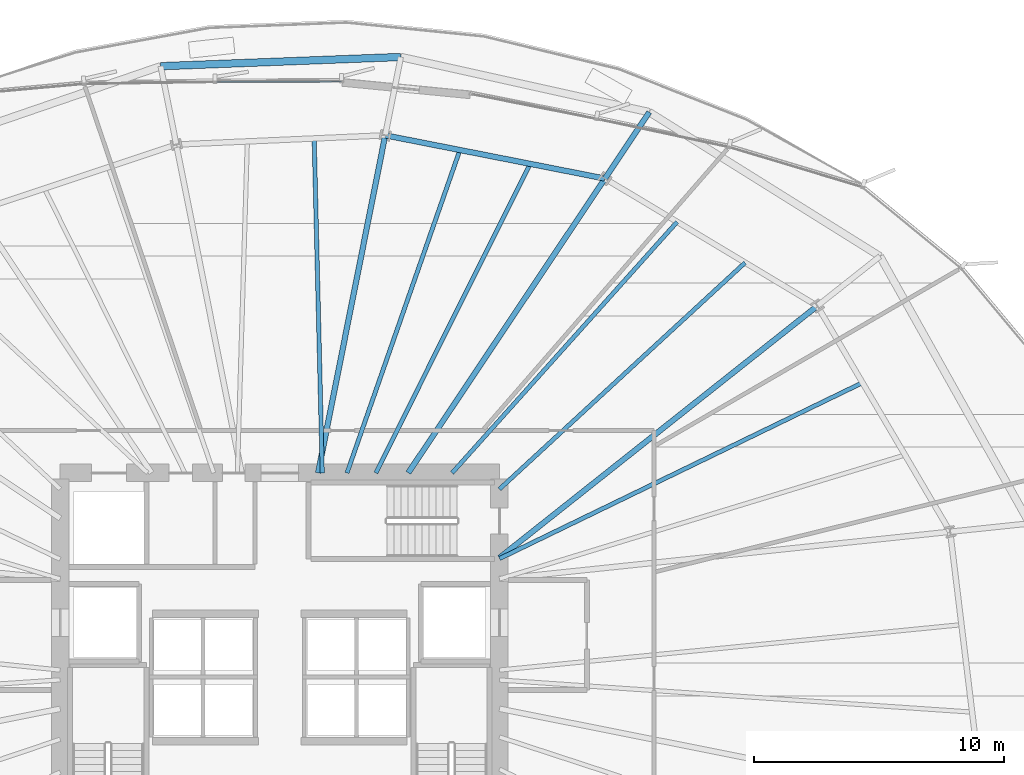
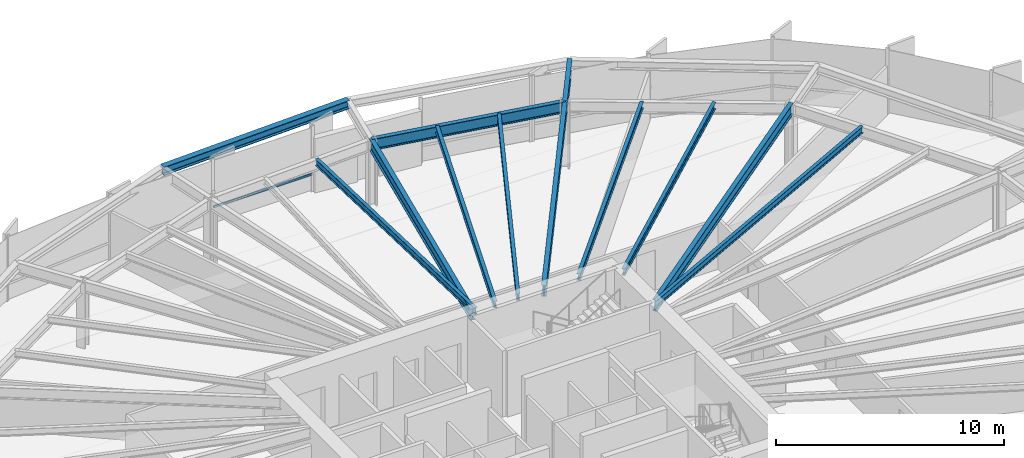
# One storey, part 22 of 37: 12 beams, 1 member, 1 element without a shape of its own.
"""IFC4 building model written with IfcOpenShell, lengths in metres."""

from ifc_helpers import new_model, si_unit, direction, frame, origin, origin_2d, place, context, subcontext, project, spatial, hollow_rectangle, i_section, extrude, source, transform, mapped, material, layer, layer_set, material_profile, profile_set, type_object, element, aggregate, save


model = new_model("IFC4")

# Units and contexts
model_context = context("Model", 3, precision=1e-05, world=origin(), true_north=direction((0.0, 1.0)))
body_context = subcontext(model_context, "Body", "Model", "MODEL_VIEW")
ifc_project = project(units=[si_unit("LENGTHUNIT", "METRE"), si_unit("AREAUNIT", "SQUARE_METRE"), si_unit("VOLUMEUNIT", "CUBIC_METRE"), si_unit("PLANEANGLEUNIT", "RADIAN"), si_unit("MASSUNIT", "GRAM", prefix="KILO"), si_unit("THERMODYNAMICTEMPERATUREUNIT", "KELVIN")], contexts=[model_context])

# Site, building, storey
site_placement = place(None, origin())
site = spatial("IfcSite", under=ifc_project, at=site_placement, CompositionType="ELEMENT")
building_placement = place(site_placement, origin())
building = spatial("IfcBuilding", under=site, at=building_placement, Name="Kethvar Cultural Tower", CompositionType="ELEMENT")
storey_placement = place(building_placement, frame((0.0, 0.0, 56.199951171875)))
storey = spatial("IfcBuildingStorey", under=building, at=storey_placement, Name="L13", CompositionType="ELEMENT", Elevation=56.199951171875)

# Beams
ifc_material_1 = material(Name="Steel S355J2", Category="steel")
ifc_material_profile_1 = material_profile(ifc_material_1, i_section(OverallWidth=0.219970703125, OverallDepth=0.60009765625, WebThickness=0.011962890625, FlangeThickness=0.01904296875, FilletRadius=0.02392578125, at=origin_2d()), Name="Steel S355J2 — IPE600")
ifc_profile_set_1 = profile_set([ifc_material_profile_1], Name="Steel S355J2 — IPE600")
beam_type_1 = type_object("IfcBeamType", Name="BM-IPE600", PredefinedType="BEAM", material=ifc_profile_set_1)
shared_shape_1 = source(origin(), body_context, "Body", "SweptSolid", [
    extrude(i_section(OverallWidth=0.219970703125, OverallDepth=0.60009765625, WebThickness=0.011962890625, FlangeThickness=0.01904296875, FilletRadius=0.02392578125, at=origin_2d()), origin(), (0.0, 0.0, 1.0), 16.248779296875),
])
beam_1_placement = place(storey_placement, frame((55.60009765625, 32.10009765625, 3.248046875), z_axis=(0.783831288624, 0.620973840813, 0.0), x_axis=(-0.620973840813, 0.783831288624, 0.0)))
element("IfcBeam", 1, at=beam_1_placement, inside=storey, type_object=beam_type_1, Name="L13 Primary Radial Beam RB-02", PredefinedType="BEAM", context=body_context, shape_type="MappedRepresentation", body=[
    mapped(shared_shape_1, transform((0.0, 0.0, 0.0), scale=1.0)),
])
shared_shape_2 = source(origin(), body_context, "Body", "SweptSolid", [
    extrude(i_section(OverallWidth=0.219970703125, OverallDepth=0.60009765625, WebThickness=0.011962890625, FlangeThickness=0.01904296875, FilletRadius=0.02392578125, at=origin_2d()), origin(), (0.0, 0.0, 1.0), 14.18359375),
])
beam_2_placement = place(storey_placement, frame((51.945068359375, 35.5, 3.248046875), z_axis=(0.55556584065, 0.831472547174, 0.0), x_axis=(-0.831472547174, 0.55556584065, 0.0)))
element("IfcBeam", 2, at=beam_2_placement, inside=storey, type_object=beam_type_1, Name="L13 Primary Radial Beam RB-03", PredefinedType="BEAM", context=body_context, shape_type="MappedRepresentation", body=[
    mapped(shared_shape_2, transform((0.0, 0.0, 0.0), scale=1.0)),
])
shared_shape_3 = source(origin(), body_context, "Body", "SweptSolid", [
    extrude(i_section(OverallWidth=0.219970703125, OverallDepth=0.60009765625, WebThickness=0.011962890625, FlangeThickness=0.01904296875, FilletRadius=0.02392578125, at=origin_2d()), origin(), (0.0, 0.0, 1.0), 3.2001953125),
])
beam_3_placement = place(storey_placement, frame((59.824951171875, 47.293212890625, 3.248046875), z_axis=(0.555544970406, 0.831486491686, 0.0), x_axis=(-0.831486491686, 0.555544970406, 0.0)))
element("IfcBeam", 3, at=beam_3_placement, inside=storey, type_object=beam_type_1, Name="L13 Perimeter Cantilever Beam RC-03", PredefinedType="BEAM", context=body_context, shape_type="MappedRepresentation", body=[
    mapped(shared_shape_3, transform((0.0, 0.0, 0.0), scale=1.0)),
])
shared_shape_4 = source(origin(), body_context, "Body", "SweptSolid", [
    extrude(i_section(OverallWidth=0.219970703125, OverallDepth=0.60009765625, WebThickness=0.011962890625, FlangeThickness=0.01904296875, FilletRadius=0.02392578125, at=origin_2d()), origin(), (0.0, 0.0, 1.0), 13.791015625),
])
beam_4_placement = place(storey_placement, frame((48.33154296875, 35.5, 3.248046875), z_axis=(0.195104916429, 0.980782377281, 0.0), x_axis=(-0.980782377281, 0.195104916429, 0.0)))
element("IfcBeam", 4, at=beam_4_placement, inside=storey, type_object=beam_type_1, Name="L13 Primary Radial Beam RB-04", PredefinedType="BEAM", context=body_context, shape_type="MappedRepresentation", body=[
    mapped(shared_shape_4, transform((0.0, 0.0, 0.0), scale=1.0)),
])
ifc_material_profile_2 = material_profile(ifc_material_1, i_section(OverallWidth=0.169921875, OverallDepth=0.360107421875, WebThickness=0.008056640625, FlangeThickness=0.0126953125, FilletRadius=0.01806640625, at=origin_2d()), Name="Steel S355J2 — IPE360")
ifc_profile_set_2 = profile_set([ifc_material_profile_2], Name="Steel S355J2 — IPE360")
beam_type_2 = type_object("IfcBeamType", Name="BM-J360", PredefinedType="JOIST", material=ifc_profile_set_2)
shared_shape_5 = source(origin(), body_context, "Body", "SweptSolid", [
    extrude(i_section(OverallWidth=0.169921875, OverallDepth=0.360107421875, WebThickness=0.008056640625, FlangeThickness=0.0126953125, FilletRadius=0.01806640625, at=origin_2d()), origin(), (0.0, 0.0, 1.0), 16.163330078125),
])
beam_5_placement = place(storey_placement, frame((55.60009765625, 32.064697265625, 3.3681640625), z_axis=(0.899890099721, 0.436116737151, 0.0), x_axis=(-0.436116737151, 0.899890099721, 0.0)))
element("IfcBeam", 5, at=beam_5_placement, inside=storey, type_object=beam_type_2, Name="L13 Composite Floor Joist J-01B", PredefinedType="JOIST", context=body_context, shape_type="MappedRepresentation", body=[
    mapped(shared_shape_5, transform((0.0, 0.0, 0.0), scale=1.0)),
])
shared_shape_6 = source(origin(), body_context, "Body", "SweptSolid", [
    extrude(i_section(OverallWidth=0.169921875, OverallDepth=0.360107421875, WebThickness=0.008056640625, FlangeThickness=0.0126953125, FilletRadius=0.01806640625, at=origin_2d()), origin(), (0.0, 0.0, 1.0), 13.3876953125),
])
beam_6_placement = place(storey_placement, frame((55.60009765625, 34.85009765625, 3.3681640625), z_axis=(0.735175283276, 0.677877055859, 0.0), x_axis=(-0.677877055859, 0.735175283276, 0.0)))
element("IfcBeam", 6, at=beam_6_placement, inside=storey, type_object=beam_type_2, Name="L13 Composite Floor Joist J-02A", PredefinedType="JOIST", context=body_context, shape_type="MappedRepresentation", body=[
    mapped(shared_shape_6, transform((0.0, 0.0, 0.0), scale=1.0)),
])
shared_shape_7 = source(origin(), body_context, "Body", "SweptSolid", [
    extrude(i_section(OverallWidth=0.169921875, OverallDepth=0.360107421875, WebThickness=0.008056640625, FlangeThickness=0.0126953125, FilletRadius=0.01806640625, at=origin_2d()), origin(), (0.0, 0.0, 1.0), 13.508056640625),
])
beam_7_placement = place(storey_placement, frame((53.702392578125, 35.5, 3.3681640625), z_axis=(0.667503553274, 0.744606611821, 0.0), x_axis=(-0.744606611821, 0.667503553274, 0.0)))
element("IfcBeam", 7, at=beam_7_placement, inside=storey, type_object=beam_type_2, Name="L13 Composite Floor Joist J-02B", PredefinedType="JOIST", context=body_context, shape_type="MappedRepresentation", body=[
    mapped(shared_shape_7, transform((0.0, 0.0, 0.0), scale=1.0)),
])
shared_shape_8 = source(origin(), body_context, "Body", "SweptSolid", [
    extrude(i_section(OverallWidth=0.219970703125, OverallDepth=0.60009765625, WebThickness=0.011962890625, FlangeThickness=0.01904296875, FilletRadius=0.02392578125, at=origin_2d()), origin(), (0.0, 0.0, 1.0), 8.9716796875),
])
beam_8_placement = place(storey_placement, frame((59.824951171875, 47.293212890625, 3.248046875), z_axis=(-0.981173751046, 0.193127083181, 0.0), x_axis=(-0.193127083181, -0.981173751046, 0.0)))
element("IfcBeam", 8, at=beam_8_placement, inside=storey, type_object=beam_type_1, Name="L13 Column Ring Tie Beam CR-03", PredefinedType="BEAM", context=body_context, shape_type="MappedRepresentation", body=[
    mapped(shared_shape_8, transform((0.0, 0.0, 0.0), scale=1.0)),
])
shared_shape_9 = source(origin(), body_context, "Body", "SweptSolid", [
    extrude(i_section(OverallWidth=0.169921875, OverallDepth=0.360107421875, WebThickness=0.008056640625, FlangeThickness=0.0126953125, FilletRadius=0.01806640625, at=origin_2d()), origin(), (0.0, 0.0, 1.0), 13.84130859375),
])
beam_9_placement = place(storey_placement, frame((50.646484375, 35.5, 3.3681640625), z_axis=(0.446889017672, 0.894589406311, 0.0), x_axis=(-0.894589406311, 0.446889017672, 0.0)))
element("IfcBeam", 9, at=beam_9_placement, inside=storey, type_object=beam_type_2, Name="L13 Composite Floor Joist J-03A", PredefinedType="JOIST", context=body_context, shape_type="MappedRepresentation", body=[
    mapped(shared_shape_9, transform((0.0, 0.0, 0.0), scale=1.0)),
])
shared_shape_10 = source(origin(), body_context, "Body", "SweptSolid", [
    extrude(i_section(OverallWidth=0.169921875, OverallDepth=0.360107421875, WebThickness=0.008056640625, FlangeThickness=0.0126953125, FilletRadius=0.01806640625, at=origin_2d()), origin(), (0.0, 0.0, 1.0), 13.70458984375),
])
beam_10_placement = place(storey_placement, frame((49.4921875, 35.5, 3.3681640625), z_axis=(0.330030618422, 0.943970227764, 0.0), x_axis=(-0.943970227764, 0.330030618422, 0.0)))
element("IfcBeam", 10, at=beam_10_placement, inside=storey, type_object=beam_type_2, Name="L13 Composite Floor Joist J-03B", PredefinedType="JOIST", context=body_context, shape_type="MappedRepresentation", body=[
    mapped(shared_shape_10, transform((0.0, 0.0, 0.0), scale=1.0)),
])
ifc_material_profile_3 = material_profile(ifc_material_1, i_section(OverallWidth=0.300048828125, OverallDepth=0.449951171875, WebThickness=0.013916015625, FlangeThickness=0.02587890625, FilletRadius=0.027099609375, at=origin_2d()), Name="Steel S355J2 — HEB450")
ifc_profile_set_3 = profile_set([ifc_material_profile_3], Name="Steel S355J2 — HEB450")
beam_type_3 = type_object("IfcBeamType", Name="BM-SP450", PredefinedType="SPANDREL", material=ifc_profile_set_3)
shared_shape_11 = source(origin(), body_context, "Body", "SweptSolid", [
    extrude(i_section(OverallWidth=0.300048828125, OverallDepth=0.449951171875, WebThickness=0.013916015625, FlangeThickness=0.02587890625, FilletRadius=0.027099609375, at=origin_2d()), origin(), (0.0, 0.0, 1.0), 9.62646484375),
])
beam_11_placement = place(storey_placement, frame((51.646484375, 52.164306640625, 3.322998046875), z_axis=(-0.999260612605, -0.038447732004, 0.0), x_axis=(0.038447732004, -0.999260612605, 0.0)))
element("IfcBeam", 11, at=beam_11_placement, inside=storey, type_object=beam_type_3, Name="L13 Perimeter Spandrel Beam SP-04", PredefinedType="SPANDREL", context=body_context, shape_type="MappedRepresentation", body=[
    mapped(shared_shape_11, transform((0.0, 0.0, 0.0), scale=1.0)),
])
shared_shape_12 = source(origin(), body_context, "Body", "SweptSolid", [
    extrude(i_section(OverallWidth=0.169921875, OverallDepth=0.360107421875, WebThickness=0.008056640625, FlangeThickness=0.0126953125, FilletRadius=0.01806640625, at=origin_2d()), origin(), (0.0, 0.0, 1.0), 13.40380859375),
])
beam_12_placement = place(storey_placement, frame((48.5, 35.5, 3.3681640625), z_axis=(-0.024170322554, 0.999707855079, 0.0), x_axis=(-0.999707855079, -0.024170322554, 0.0)))
element("IfcBeam", 12, at=beam_12_placement, inside=storey, type_object=beam_type_2, Name="L13 Composite Floor Joist J-04A", PredefinedType="JOIST", context=body_context, shape_type="MappedRepresentation", body=[
    mapped(shared_shape_12, transform((0.0, 0.0, 0.0), scale=1.0)),
])

# Curtain wall, member
ifc_material_2 = material(Name="Aluminium 6063-T6", Category="aluminium")
ifc_layer = layer(ifc_material_2, 0.179931640625, Name="Aluminium 6063-T6", Category="aluminium")
ifc_layer_set = layer_set([ifc_layer], Name="Aluminium 6063-T6 (180 mm)")
curtain_wall_type = type_object("IfcCurtainWallType", Name="CW-SYS-02-Z1", PredefinedType="NOTDEFINED", material=ifc_layer_set)
curtain_wall_placement = place(storey_placement, origin())
curtain_wall = element("IfcCurtainWall", 13, at=curtain_wall_placement, inside=storey, type_object=curtain_wall_type, Name="L13 Curtain Wall Run 03", PredefinedType="NOTDEFINED")
ifc_material_profile_4 = material_profile(ifc_material_2, hollow_rectangle(XDim=0.054931640625, YDim=0.1201171875, WallThickness=0.00390625, at=origin_2d()), Name="Aluminium 6063-T6 — RHS120x55x4")
ifc_profile_set_4 = profile_set([ifc_material_profile_4], Name="Aluminium 6063-T6 — RHS120x55x4")
member_type = type_object("IfcMemberType", Name="CW-SYS-02-Z1-TRN", PredefinedType="USERDEFINED", material=ifc_profile_set_4)
shared_shape_13 = source(origin(), body_context, "Body", "SweptSolid", [
    extrude(hollow_rectangle(XDim=0.054931640625, YDim=0.1201171875, WallThickness=0.00390625, at=origin_2d()), origin(), (0.0, 0.0, 1.0), 5.020751953125),
])
member_placement = place(storey_placement, frame((49.275390625, 51.180908203125, 0.949951171875), z_axis=(-0.999994371313, -0.003355196286, 0.0), x_axis=(0.003355196286, -0.999994371313, 0.0)))
member = element("IfcMember", 14, at=member_placement, type_object=member_type, Name="CW-L13-R03 Transom 1", ObjectType="TRANSOM", PredefinedType="USERDEFINED", context=body_context, shape_type="MappedRepresentation", body=[
    mapped(shared_shape_13, transform((0.0, 0.0, 0.0), scale=1.0)),
])
aggregate(curtain_wall, [member])

save(model, "model.ifc")
